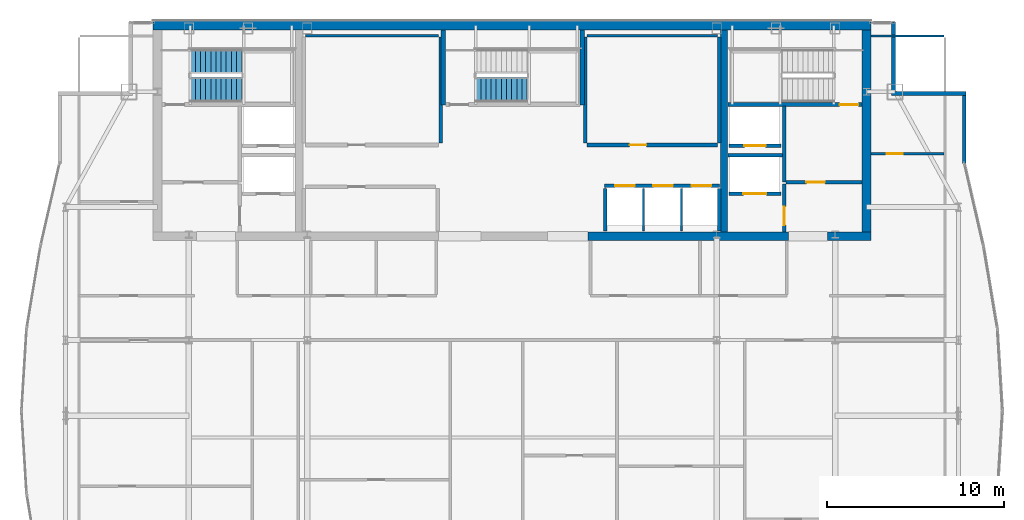
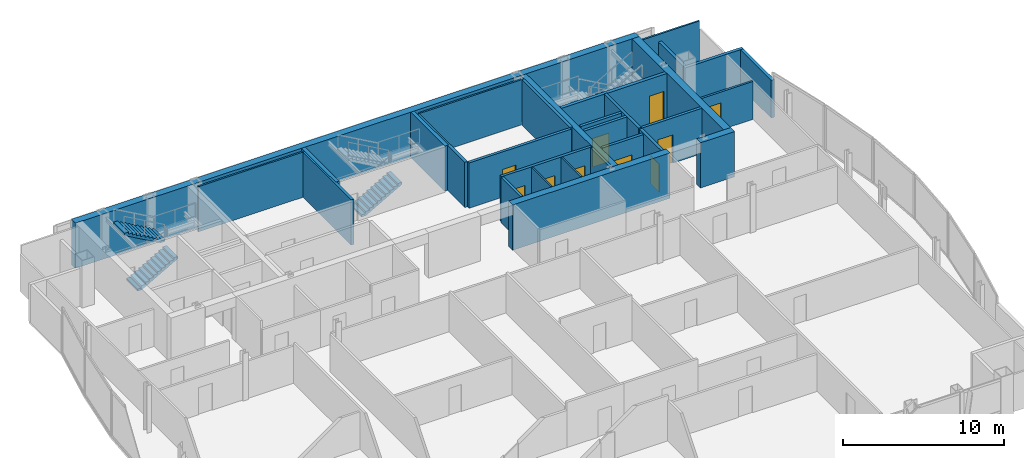
# One storey, part 26 of 29: 30 walls, 10 doors, 3 stair flights, 10 openings, 2 elements without a shape of their own.
"""IFC4 building model written with IfcOpenShell, lengths in metres."""

from ifc_helpers import new_model, si_unit, direction, frame, frame_2d, origin, place, context, subcontext, project, spatial, polyline, rectangle, outline, extrude, material, layer, layer_set, type_object, element, fill, aggregate, save


model = new_model("IFC4")

# Units and contexts
model_context = context("Model", 3, precision=1e-05, world=origin(), true_north=direction((0.0, 1.0)))
body_context = subcontext(model_context, "Body", "Model", "MODEL_VIEW")
ifc_project = project(units=[si_unit("LENGTHUNIT", "METRE"), si_unit("AREAUNIT", "SQUARE_METRE"), si_unit("VOLUMEUNIT", "CUBIC_METRE"), si_unit("PLANEANGLEUNIT", "RADIAN"), si_unit("MASSUNIT", "GRAM", prefix="KILO")], contexts=[model_context])

# Site, building, storey
site_placement = place(None, origin())
site = spatial("IfcSite", under=ifc_project, at=site_placement, CompositionType="ELEMENT")
building_placement = place(site_placement, origin())
building = spatial("IfcBuilding", under=site, at=building_placement, Name="Khoronbel Lancet Exchange", CompositionType="ELEMENT")
storey_placement = place(building_placement, frame((0.0, 0.0, 321.800048828125)))
storey = spatial("IfcBuildingStorey", under=building, at=storey_placement, Name="L83", CompositionType="ELEMENT", Elevation=321.800048828125)

# Walls
ifc_material_1 = material(Name="Concrete C60/75", Category="concrete")
ifc_layer_1 = layer(ifc_material_1, 0.5, Name="Concrete C60/75")
ifc_layer_set_1 = layer_set([ifc_layer_1], Name="Concrete C60/75")
wall_type_1 = type_object("IfcWallType", Name="WL-CW4", PredefinedType="SHEAR", material=ifc_layer_set_1)
wall_1_placement = place(storey_placement, frame((16.199951171875, 53.449951171875, 0.0), z_axis=(0.0, 0.0, 1.0), x_axis=(1.0, 0.0, 0.0)))
element("IfcWall", 1, at=wall_1_placement, inside=storey, type_object=wall_type_1, Name="Level L83 rear core north shear wall", PredefinedType="SHEAR", context=body_context, shape_type="SweptSolid", body=[
    extrude(rectangle(XDim=40.5, YDim=0.5, at=frame_2d((20.25, 0.0))), origin(), (0.0, 0.0, 1.0), 3.43994140625),
])
wall_2_placement = place(storey_placement, frame((56.449951171875, 53.199951171875, 0.0), z_axis=(0.0, 0.0, 1.0), x_axis=(0.0, -1.0, 0.0)))
element("IfcWall", 2, at=wall_2_placement, inside=storey, type_object=wall_type_1, Name="Level L83 rear core east shear wall", PredefinedType="SHEAR", context=body_context, shape_type="SweptSolid", body=[
    extrude(rectangle(XDim=11.39990234375, YDim=0.5, at=frame_2d((5.699951171875, 0.0))), origin(), (0.0, 0.0, 1.0), 3.43994140625),
])
wall_3_placement = place(storey_placement, frame((52.050048828125, 41.550048828125, 0.0), z_axis=(0.0, 0.0, 1.0), x_axis=(-1.0, 0.0, 0.0)))
element("IfcWall", 3, at=wall_3_placement, inside=storey, type_object=wall_type_1, Name="Level L83 rear core south shear wall pier P4", PredefinedType="SHEAR", context=body_context, shape_type="SweptSolid", body=[
    extrude(rectangle(XDim=11.300048828125, YDim=0.5, at=frame_2d((5.64990234375, 0.0))), origin(), (0.0, 0.0, 1.0), 3.43994140625),
])
wall_4_placement = place(storey_placement, frame((56.699951171875, 41.550048828125, 0.0), z_axis=(0.0, 0.0, 1.0), x_axis=(-1.0, 0.0, 0.0)))
element("IfcWall", 4, at=wall_4_placement, inside=storey, type_object=wall_type_1, Name="Level L83 rear core south shear wall pier P5", PredefinedType="SHEAR", context=body_context, shape_type="SweptSolid", body=[
    extrude(rectangle(XDim=2.449951171875, YDim=0.5, at=frame_2d((1.22509765625, 0.0))), origin(), (0.0, 0.0, 1.0), 3.43994140625),
])
ifc_material_2 = material(Name="Precast concrete C40/50", Category="concrete")
ifc_layer_2 = layer(ifc_material_2, 0.25, Name="Precast concrete C40/50")
ifc_layer_set_2 = layer_set([ifc_layer_2], Name="Precast concrete C40/50")
wall_type_2 = type_object("IfcWallType", Name="WL-EXT250", PredefinedType="SOLIDWALL", material=ifc_layer_set_2)
wall_5_placement = place(storey_placement, frame((57.9599609375, 53.6298828125, 0.0), z_axis=(0.0, 0.0, 1.0), x_axis=(0.0, -1.0, 0.0)))
element("IfcWall", 5, at=wall_5_placement, inside=storey, type_object=wall_type_2, Name="Level L83 notched-corner limestone pier 14", PredefinedType="SOLIDWALL", context=body_context, shape_type="SweptSolid", body=[
    extrude(rectangle(XDim=3.909912109375, YDim=0.219970703125, at=frame_2d((1.955078125, 0.0))), origin(), (0.0, 0.0, 1.0), 2.8798828125),
])
wall_6_placement = place(storey_placement, frame((57.85009765625, 49.610107421875, 0.0), z_axis=(0.0, 0.0, 1.0), x_axis=(1.0, 0.0, 0.0)))
element("IfcWall", 6, at=wall_6_placement, inside=storey, type_object=wall_type_2, Name="Level L83 notched-corner limestone pier 15", PredefinedType="SOLIDWALL", context=body_context, shape_type="SweptSolid", body=[
    extrude(rectangle(XDim=4.219970703125, YDim=0.219970703125, at=frame_2d((2.10986328125, 0.0))), origin(), (0.0, 0.0, 1.0), 2.8798828125),
])
wall_7_placement = place(storey_placement, frame((61.9599609375, 49.5, 0.0), z_axis=(0.0, 0.0, 1.0), x_axis=(0.0, -1.0, 0.0)))
element("IfcWall", 7, at=wall_7_placement, inside=storey, type_object=wall_type_2, Name="Level L83 notched-corner limestone pier 16", PredefinedType="SOLIDWALL", context=body_context, shape_type="SweptSolid", body=[
    extrude(rectangle(XDim=3.830078125, YDim=0.219970703125, at=frame_2d((1.9150390625, 0.0))), origin(), (0.0, 0.0, 1.0), 2.8798828125),
])

# Wall, opening, door
ifc_material_3 = material(Name="Acoustic Metal-Stud & Mineral-Wool Gypsum Partition 120 mm", Category="gypsum")
ifc_layer_3 = layer(ifc_material_3, 0.1201171875, Name="Acoustic Metal-Stud & Mineral-Wool Gypsum Partition 120 mm")
ifc_layer_set_3 = layer_set([ifc_layer_3], Name="Acoustic Metal-Stud & Mineral-Wool Gypsum Partition 120 mm")
wall_type_3 = type_object("IfcWallType", Name="WL-PRT120", PredefinedType="PARTITIONING", material=ifc_layer_set_3)
wall_8_placement = place(storey_placement, frame((56.699951171875, 46.199951171875, 0.0), z_axis=(0.0, 0.0, 1.0), x_axis=(1.0, 0.0, 0.0)))
wall_8 = element("IfcWall", 8, at=wall_8_placement, inside=storey, type_object=wall_type_3, Name="Level L83 interior partition PW-NE-H", PredefinedType="PARTITIONING", context=body_context, shape_type="SweptSolid", body=[
    extrude(rectangle(XDim=4.10498046875, YDim=0.14990234375, at=frame_2d((2.052490234375, 0.0))), origin(), (0.0, 0.0, 1.0), 2.8798828125),
])
opening_1_placement = place(wall_8_placement, frame((0.89990234375, 0.0, 0.0)))
opening_1 = element("IfcOpeningElement", 9, at=opening_1_placement, cuts=wall_8, Name="Opening D5", PredefinedType="OPENING", context=body_context, shape_type="SweptSolid", body=[
    extrude(rectangle(XDim=0.89990234375, YDim=2.050048828125, at=frame_2d((0.449951171875, 1.02490234375))), frame((0.0, 0.0849609375, 0.0), z_axis=(0.0, -1.0, 0.0), x_axis=(1.0, 0.0, 0.0)), (0.0, 0.0, 1.0), 0.169921875),
])
ifc_material_4 = material(Name="Acoustic Timber Pantry & Support Door", Category="wood")
door_type_1 = type_object("IfcDoorType", Name="DR-D5", OperationType="NOTDEFINED", PredefinedType="DOOR", material=ifc_material_4)
door_1_placement = place(opening_1_placement, origin())
door_1 = element("IfcDoor", 10, at=door_1_placement, inside=storey, type_object=door_type_1, Name="NE north room door L83-1", OperationType="SINGLE_SWING_RIGHT", OverallHeight=2.050048828125, OverallWidth=0.89990234375, PredefinedType="DOOR", context=body_context, shape_type="SweptSolid", body=[
    extrude(rectangle(XDim=0.89990234375, YDim=2.050048828125, at=frame_2d((0.449951171875, 1.02490234375))), frame((0.0, 0.02490234375, 0.0), z_axis=(0.0, -1.0, 0.0), x_axis=(1.0, 0.0, 0.0)), (0.0, 0.0, 1.0), 0.050048828125),
])
fill(opening_1, door_1)

# Walls
wall_9_placement = place(storey_placement, frame((56.699951171875, 52.840087890625, 0.0), z_axis=(0.0, 0.0, 1.0), x_axis=(1.0, 0.0, 0.0)))
element("IfcWall", 11, at=wall_9_placement, inside=storey, type_object=wall_type_3, Name="Level L83 interior partition PW-LIN-NE", PredefinedType="PARTITIONING", context=body_context, shape_type="SweptSolid", body=[
    extrude(rectangle(XDim=4.10498046875, YDim=0.1201171875, at=frame_2d((2.052490234375, 0.0))), origin(), (0.0, 0.0, 1.0), 3.43994140625),
])
ifc_material_5 = material(Name="Fire-Rated Metal-Stud & Mineral-Wool Gypsum Partition 120 mm", Category="gypsum")
ifc_layer_4 = layer(ifc_material_5, 0.1201171875, Name="Fire-Rated Metal-Stud & Mineral-Wool Gypsum Partition 120 mm")
ifc_layer_set_4 = layer_set([ifc_layer_4], Name="Fire-Rated Metal-Stud & Mineral-Wool Gypsum Partition 120 mm")
wall_type_4 = type_object("IfcWallType", Name="WL-PRT120F", PredefinedType="PARTITIONING", material=ifc_layer_set_4)
wall_10_placement = place(storey_placement, frame((24.804931640625, 52.860107421875, 0.0), z_axis=(0.0, 0.0, 1.0), x_axis=(1.0, 0.0, 0.0)))
element("IfcWall", 12, at=wall_10_placement, inside=storey, type_object=wall_type_4, Name="Level L83 interior partition CW-PL-RN", PredefinedType="PARTITIONING", context=body_context, shape_type="SweptSolid", body=[
    extrude(rectangle(XDim=7.510009765625, YDim=0.1201171875, at=frame_2d((3.7548828125, 0.0))), origin(), (0.0, 0.0, 1.0), 3.43994140625),
])
wall_11_placement = place(storey_placement, frame((40.68505859375, 52.860107421875, 0.0), z_axis=(0.0, 0.0, 1.0), x_axis=(1.0, 0.0, 0.0)))
element("IfcWall", 13, at=wall_11_placement, inside=storey, type_object=wall_type_4, Name="Level L83 interior partition CW-PH-RN", PredefinedType="PARTITIONING", context=body_context, shape_type="SweptSolid", body=[
    extrude(rectangle(XDim=7.349853515625, YDim=0.1201171875, at=frame_2d((3.6748046875, 0.0))), origin(), (0.0, 0.0, 1.0), 3.43994140625),
])
for number, where, z_axis, x_axis, name in (
    (14, (43.860107421875, 41.85009765625, 0.0), (0.0, 0.0, 1.0), (0.0, 1.0, 0.0), "Level L83 interior partition CW-PX-D1"),
    (15, (46.0, 41.85009765625, 0.0), (0.0, 0.0, 1.0), (0.0, 1.0, 0.0), "Level L83 interior partition CW-PX-D2"),
):
    element("IfcWall", number, at=place(storey_placement, frame(where, z_axis=z_axis, x_axis=x_axis)), inside=storey, type_object=wall_type_4, Name=name, PredefinedType="PARTITIONING", context=body_context, shape_type="SweptSolid", body=[
        extrude(rectangle(XDim=2.39990234375, YDim=0.1201171875, at=frame_2d((1.199951171875, 0.0))), origin(), (0.0, 0.0, 1.0), 3.43994140625),
    ])

# Wall, openings, doors
ifc_material_6 = material(Name="Autoclaved Aerated Concrete Blockwork 200 mm", Category="masonry")
ifc_layer_5 = layer(ifc_material_6, 0.199951171875, Name="Autoclaved Aerated Concrete Blockwork 200 mm")
ifc_layer_set_5 = layer_set([ifc_layer_5], Name="Autoclaved Aerated Concrete Blockwork 200 mm")
wall_type_5 = type_object("IfcWallType", Name="WL-PRT200", PredefinedType="PARTITIONING", material=ifc_layer_set_5)
wall_12_placement = place(storey_placement, frame((41.679931640625, 44.39990234375, 0.0), z_axis=(0.0, 0.0, 1.0), x_axis=(1.0, 0.0, 0.0)))
wall_12 = element("IfcWall", 16, at=wall_12_placement, inside=storey, type_object=wall_type_5, Name="Level L83 elevator hoistway landing front wall PXE", PredefinedType="PARTITIONING", context=body_context, shape_type="SweptSolid", body=[
    extrude(rectangle(XDim=6.47998046875, YDim=0.199951171875, at=frame_2d((3.239990234375, 0.0))), origin(), (0.0, 0.0, 1.0), 3.43994140625),
])
opening_2_placement = place(wall_12_placement, frame((0.580078125, 0.0, 0.0)))
opening_2 = element("IfcOpeningElement", 17, at=opening_2_placement, cuts=wall_12, Name="Opening LD-PX1", PredefinedType="OPENING", context=body_context, shape_type="SweptSolid", body=[
    extrude(rectangle(XDim=1.10009765625, YDim=2.179931640625, at=frame_2d((0.550048828125, 1.08984375))), frame((0.0, 0.10986328125, 0.0), z_axis=(0.0, -1.0, 0.0), x_axis=(1.0, 0.0, 0.0)), (0.0, 0.0, 1.0), 0.219970703125),
])
opening_3_placement = place(wall_12_placement, frame((2.739990234375, 0.0, 0.0)))
opening_3 = element("IfcOpeningElement", 18, at=opening_3_placement, cuts=wall_12, Name="Opening LD-PX2", PredefinedType="OPENING", context=body_context, shape_type="SweptSolid", body=[
    extrude(rectangle(XDim=1.10009765625, YDim=2.179931640625, at=frame_2d((0.550048828125, 1.08984375))), frame((0.0, 0.10986328125, 0.0), z_axis=(0.0, -1.0, 0.0), x_axis=(1.0, 0.0, 0.0)), (0.0, 0.0, 1.0), 0.219970703125),
])
opening_4_placement = place(wall_12_placement, frame((4.89990234375, 0.0, 0.0)))
opening_4 = element("IfcOpeningElement", 19, at=opening_4_placement, cuts=wall_12, Name="Opening LD-PX3", PredefinedType="OPENING", context=body_context, shape_type="SweptSolid", body=[
    extrude(rectangle(XDim=1.10009765625, YDim=2.179931640625, at=frame_2d((0.550048828125, 1.08984375))), frame((0.0, 0.10986328125, 0.0), z_axis=(0.0, -1.0, 0.0), x_axis=(1.0, 0.0, 0.0)), (0.0, 0.0, 1.0), 0.219970703125),
])
ifc_material_7 = material(Name="Brushed Bronze Bi-Parting Elevator Landing Door", Category="steel")
door_type_2 = type_object("IfcDoorType", Name="DR-LD-PAX", OperationType="NOTDEFINED", PredefinedType="DOOR", material=ifc_material_7)
door_2_placement = place(opening_2_placement, origin())
door_2 = element("IfcDoor", 20, at=door_2_placement, inside=storey, type_object=door_type_2, Name="Elevator landing sliding door LD-PX1 L83", OperationType="SLIDING_TO_LEFT", OverallHeight=2.179931640625, OverallWidth=1.10009765625, PredefinedType="DOOR", context=body_context, shape_type="SweptSolid", body=[
    extrude(rectangle(XDim=1.10009765625, YDim=2.179931640625, at=frame_2d((0.550048828125, 1.08984375))), frame((0.0, 0.02490234375, 0.0), z_axis=(0.0, -1.0, 0.0), x_axis=(1.0, 0.0, 0.0)), (0.0, 0.0, 1.0), 0.050048828125),
])
fill(opening_2, door_2)
door_3_placement = place(opening_3_placement, origin())
door_3 = element("IfcDoor", 21, at=door_3_placement, inside=storey, type_object=door_type_2, Name="Elevator landing sliding door LD-PX2 L83", OperationType="SLIDING_TO_LEFT", OverallHeight=2.179931640625, OverallWidth=1.10009765625, PredefinedType="DOOR", context=body_context, shape_type="SweptSolid", body=[
    extrude(rectangle(XDim=1.10009765625, YDim=2.179931640625, at=frame_2d((0.550048828125, 1.08984375))), frame((0.0, 0.02490234375, 0.0), z_axis=(0.0, -1.0, 0.0), x_axis=(1.0, 0.0, 0.0)), (0.0, 0.0, 1.0), 0.050048828125),
])
fill(opening_3, door_3)
door_4_placement = place(opening_4_placement, origin())
door_4 = element("IfcDoor", 22, at=door_4_placement, inside=storey, type_object=door_type_2, Name="Elevator landing sliding door LD-PX3 L83", OperationType="SLIDING_TO_LEFT", OverallHeight=2.179931640625, OverallWidth=1.10009765625, PredefinedType="DOOR", context=body_context, shape_type="SweptSolid", body=[
    extrude(rectangle(XDim=1.10009765625, YDim=2.179931640625, at=frame_2d((0.550048828125, 1.08984375))), frame((0.0, 0.02490234375, 0.0), z_axis=(0.0, -1.0, 0.0), x_axis=(1.0, 0.0, 0.0)), (0.0, 0.0, 1.0), 0.050048828125),
])
fill(opening_4, door_4)

# Wall, opening, door
wall_13_placement = place(storey_placement, frame((51.610107421875, 43.949951171875, 0.0), z_axis=(0.0, 0.0, 1.0), x_axis=(-1.0, 0.0, 0.0)))
wall_13 = element("IfcWall", 23, at=wall_13_placement, inside=storey, type_object=wall_type_5, Name="Level L83 elevator hoistway landing front wall SVLE", PredefinedType="PARTITIONING", context=body_context, shape_type="SweptSolid", body=[
    extrude(rectangle(XDim=2.920166015625, YDim=0.199951171875, at=frame_2d((1.4599609375, 0.0))), origin(), (0.0, 0.0, 1.0), 3.43994140625),
])
opening_5_placement = place(wall_13_placement, frame((0.81005859375, 0.0, 0.0)))
opening_5 = element("IfcOpeningElement", 24, at=opening_5_placement, cuts=wall_13, Name="Opening LD-SVL2", PredefinedType="OPENING", context=body_context, shape_type="SweptSolid", body=[
    extrude(rectangle(XDim=1.300048828125, YDim=2.179931640625, at=frame_2d((0.64990234375, 1.08984375))), frame((0.0, 0.10986328125, 0.0), z_axis=(0.0, -1.0, 0.0), x_axis=(1.0, 0.0, 0.0)), (0.0, 0.0, 1.0), 0.219970703125),
])
ifc_material_8 = material(Name="Heavy-Duty Bi-Parting Goods Lift Landing Door", Category="steel")
door_type_3 = type_object("IfcDoorType", Name="DR-LD-SVL", OperationType="NOTDEFINED", PredefinedType="DOOR", material=ifc_material_8)
door_5_placement = place(opening_5_placement, origin())
door_5 = element("IfcDoor", 25, at=door_5_placement, inside=storey, type_object=door_type_3, Name="Elevator landing sliding door LD-SVL2 L83", OperationType="SLIDING_TO_LEFT", OverallHeight=2.179931640625, OverallWidth=1.300048828125, PredefinedType="DOOR", context=body_context, shape_type="SweptSolid", body=[
    extrude(rectangle(XDim=1.300048828125, YDim=2.179931640625, at=frame_2d((0.64990234375, 1.08984375))), frame((0.0, 0.02490234375, 0.0), z_axis=(0.0, -1.0, 0.0), x_axis=(1.0, 0.0, 0.0)), (0.0, 0.0, 1.0), 0.050048828125),
])
fill(opening_5, door_5)

wall_14_placement = place(storey_placement, frame((51.610107421875, 46.64990234375, 0.0), z_axis=(0.0, 0.0, 1.0), x_axis=(-1.0, 0.0, 0.0)))
wall_14 = element("IfcWall", 26, at=wall_14_placement, inside=storey, type_object=wall_type_5, Name="Level L83 elevator hoistway landing front wall FFLE", PredefinedType="PARTITIONING", context=body_context, shape_type="SweptSolid", body=[
    extrude(rectangle(XDim=2.920166015625, YDim=0.199951171875, at=frame_2d((1.4599609375, 0.0))), origin(), (0.0, 0.0, 1.0), 3.43994140625),
])
opening_6_placement = place(wall_14_placement, frame((0.860107421875, 0.0, 0.0)))
opening_6 = element("IfcOpeningElement", 27, at=opening_6_placement, cuts=wall_14, Name="Opening LD-FFL2", PredefinedType="OPENING", context=body_context, shape_type="SweptSolid", body=[
    extrude(rectangle(XDim=1.199951171875, YDim=2.179931640625, at=frame_2d((0.60009765625, 1.08984375))), frame((0.0, 0.10986328125, 0.0), z_axis=(0.0, -1.0, 0.0), x_axis=(1.0, 0.0, 0.0)), (0.0, 0.0, 1.0), 0.219970703125),
])
ifc_material_9 = material(Name="Fire-Rated Stainless Bi-Parting Firefighting Lift Door", Category="steel")
door_type_4 = type_object("IfcDoorType", Name="DR-LD-FFL", OperationType="NOTDEFINED", PredefinedType="DOOR", material=ifc_material_9)
door_6_placement = place(opening_6_placement, origin())
door_6 = element("IfcDoor", 28, at=door_6_placement, inside=storey, type_object=door_type_4, Name="Elevator landing sliding door LD-FFL2 L83", OperationType="SLIDING_TO_LEFT", OverallHeight=2.179931640625, OverallWidth=1.199951171875, PredefinedType="DOOR", context=body_context, shape_type="SweptSolid", body=[
    extrude(rectangle(XDim=1.199951171875, YDim=2.179931640625, at=frame_2d((0.60009765625, 1.08984375))), frame((0.0, 0.02490234375, 0.0), z_axis=(0.0, -1.0, 0.0), x_axis=(1.0, 0.0, 0.0)), (0.0, 0.0, 1.0), 0.050048828125),
])
fill(opening_6, door_6)

# Wall
wall_15_placement = place(storey_placement, frame((51.800048828125, 44.60009765625, 0.0), z_axis=(0.0, 0.0, 1.0), x_axis=(0.0, 1.0, 0.0)))
element("IfcWall", 29, at=wall_15_placement, inside=storey, type_object=wall_type_5, Name="Level L83 interior partition CW-FFLE-W", PredefinedType="PARTITIONING", context=body_context, shape_type="SweptSolid", body=[
    extrude(rectangle(XDim=4.2998046875, YDim=0.199951171875, at=frame_2d((2.14990234375, 0.0))), origin(), (0.0, 0.0, 1.0), 3.43994140625),
])

# Wall, opening, door
wall_16_placement = place(storey_placement, frame((51.89990234375, 44.60009765625, 0.0), z_axis=(0.0, 0.0, 1.0), x_axis=(1.0, 0.0, 0.0)))
wall_16 = element("IfcWall", 30, at=wall_16_placement, inside=storey, type_object=wall_type_5, Name="Level L83 interior partition CW-FFLE-S", PredefinedType="PARTITIONING", context=body_context, shape_type="SweptSolid", body=[
    extrude(rectangle(XDim=4.300048828125, YDim=0.199951171875, at=frame_2d((2.14990234375, 0.0))), origin(), (0.0, 0.0, 1.0), 3.43994140625),
])
opening_7_placement = place(wall_16_placement, frame((1.14990234375, 0.0, 0.0)))
opening_7 = element("IfcOpeningElement", 31, at=opening_7_placement, cuts=wall_16, Name="Opening FD1", PredefinedType="OPENING", context=body_context, shape_type="SweptSolid", body=[
    extrude(rectangle(XDim=1.050048828125, YDim=2.14990234375, at=frame_2d((0.52490234375, 1.074951171875))), frame((0.0, 0.10986328125, 0.0), z_axis=(0.0, -1.0, 0.0), x_axis=(1.0, 0.0, 0.0)), (0.0, 0.0, 1.0), 0.219970703125),
])
ifc_material_10 = material(Name="Fire-Rated Painted Steel Door Assembly", Category="steel")
door_type_5 = type_object("IfcDoorType", Name="DR-FD1", OperationType="NOTDEFINED", PredefinedType="DOOR", material=ifc_material_10)
door_7_placement = place(opening_7_placement, origin())
door_7 = element("IfcDoor", 32, at=door_7_placement, inside=storey, type_object=door_type_5, Name="East firefighting lobby FD90S door L83-1", OperationType="SINGLE_SWING_LEFT", OverallHeight=2.14990234375, OverallWidth=1.050048828125, PredefinedType="DOOR", context=body_context, shape_type="SweptSolid", body=[
    extrude(rectangle(XDim=1.050048828125, YDim=2.14990234375, at=frame_2d((0.52490234375, 1.074951171875))), frame((0.0, 0.02490234375, 0.0), z_axis=(0.0, -1.0, 0.0), x_axis=(1.0, 0.0, 0.0)), (0.0, 0.0, 1.0), 0.050048828125),
])
fill(opening_7, door_7)

# Wall
wall_17_placement = place(storey_placement, frame((48.6298828125, 46.1201171875, 0.0), z_axis=(0.0, 0.0, 1.0), x_axis=(1.0, 0.0, 0.0)))
element("IfcWall", 33, at=wall_17_placement, inside=storey, type_object=wall_type_5, Name="Level L83 interior partition CW-FFL2-S", PredefinedType="PARTITIONING", context=body_context, shape_type="SweptSolid", body=[
    extrude(rectangle(XDim=3.070068359375, YDim=0.199951171875, at=frame_2d((1.53515625, 0.0))), origin(), (0.0, 0.0, 1.0), 3.43994140625),
])

# Wall, opening, door
wall_18_placement = place(storey_placement, frame((51.800048828125, 41.800048828125, 0.0), z_axis=(0.0, 0.0, 1.0), x_axis=(0.0, 1.0, 0.0)))
wall_18 = element("IfcWall", 34, at=wall_18_placement, inside=storey, type_object=wall_type_5, Name="Level L83 interior partition CW-SVLE-E", PredefinedType="PARTITIONING", context=body_context, shape_type="SweptSolid", body=[
    extrude(rectangle(XDim=2.695068359375, YDim=0.199951171875, at=frame_2d((1.34765625, 0.0))), origin(), (0.0, 0.0, 1.0), 3.43994140625),
])
opening_8_placement = place(wall_18_placement, frame((0.3798828125, 0.0, 0.0)))
opening_8 = element("IfcOpeningElement", 35, at=opening_8_placement, cuts=wall_18, Name="Opening FD1", PredefinedType="OPENING", context=body_context, shape_type="SweptSolid", body=[
    extrude(rectangle(XDim=1.050048828125, YDim=2.14990234375, at=frame_2d((0.52490234375, 1.074951171875))), frame((0.0, 0.10986328125, 0.0), z_axis=(0.0, -1.0, 0.0), x_axis=(1.0, 0.0, 0.0)), (0.0, 0.0, 1.0), 0.219970703125),
])
door_8_placement = place(opening_8_placement, origin())
door_8 = element("IfcDoor", 36, at=door_8_placement, inside=storey, type_object=door_type_5, Name="East service lift lobby door L83-1", OperationType="SINGLE_SWING_RIGHT", OverallHeight=2.14990234375, OverallWidth=1.050048828125, PredefinedType="DOOR", context=body_context, shape_type="SweptSolid", body=[
    extrude(rectangle(XDim=1.050048828125, YDim=2.14990234375, at=frame_2d((0.52490234375, 1.074951171875))), frame((0.0, 0.02490234375, 0.0), z_axis=(0.0, -1.0, 0.0), x_axis=(1.0, 0.0, 0.0)), (0.0, 0.0, 1.0), 0.050048828125),
])
fill(opening_8, door_8)

# Walls
for number, where, z_axis, x_axis, name in (
    (37, (32.419921875, 46.804931640625, 0.0), (0.0, 0.0, 1.0), (0.0, 1.0, 0.0), "Level L83 interior partition CW-PL-RE"),
    (38, (40.580078125, 46.804931640625, 0.0), (0.0, 0.0, 1.0), (0.0, 1.0, 0.0), "Level L83 interior partition CW-PH-RW"),
    (39, (48.139892578125, 46.804931640625, 0.0), (0.0, 0.0, 1.0), (0.0, 1.0, 0.0), "Level L83 interior partition CW-PH-RE"),
):
    element("IfcWall", number, at=place(storey_placement, frame(where, z_axis=z_axis, x_axis=x_axis)), inside=storey, type_object=wall_type_5, Name=name, PredefinedType="PARTITIONING", context=body_context, shape_type="SweptSolid", body=[
        extrude(rectangle(XDim=5.989990234375, YDim=0.199951171875, at=frame_2d((2.9951171875, 0.0))), origin(), (0.0, 0.0, 1.0), 3.43994140625),
    ])

# Wall, opening, door
wall_19_placement = place(storey_placement, frame((40.68505859375, 46.699951171875, 0.0), z_axis=(0.0, 0.0, 1.0), x_axis=(1.0, 0.0, 0.0)))
wall_19 = element("IfcWall", 40, at=wall_19_placement, inside=storey, type_object=wall_type_5, Name="Level L83 interior partition CW-PH-RF", PredefinedType="PARTITIONING", context=body_context, shape_type="SweptSolid", body=[
    extrude(rectangle(XDim=7.349853515625, YDim=0.199951171875, at=frame_2d((3.6748046875, 0.0))), origin(), (0.0, 0.0, 1.0), 3.43994140625),
])
opening_9_placement = place(wall_19_placement, frame((2.39990234375, 0.0, 0.0)))
opening_9 = element("IfcOpeningElement", 41, at=opening_9_placement, cuts=wall_19, Name="Opening FD3", PredefinedType="OPENING", context=body_context, shape_type="SweptSolid", body=[
    extrude(rectangle(XDim=0.949951171875, YDim=2.10009765625, at=frame_2d((0.47509765625, 1.050048828125))), frame((0.0, 0.10986328125, 0.0), z_axis=(0.0, -1.0, 0.0), x_axis=(1.0, 0.0, 0.0)), (0.0, 0.0, 1.0), 0.219970703125),
])
ifc_material_11 = material(Name="Fire-Rated Steel Plant & Riser Door Assembly", Category="steel")
door_type_6 = type_object("IfcDoorType", Name="DR-FD3", OperationType="NOTDEFINED", PredefinedType="DOOR", material=ifc_material_11)
door_9_placement = place(opening_9_placement, origin())
door_9 = element("IfcDoor", 42, at=door_9_placement, inside=storey, type_object=door_type_6, Name="Reclaimed PH room door L83-1", OperationType="SINGLE_SWING_LEFT", OverallHeight=2.10009765625, OverallWidth=0.949951171875, PredefinedType="DOOR", context=body_context, shape_type="SweptSolid", body=[
    extrude(rectangle(XDim=0.949951171875, YDim=2.10009765625, at=frame_2d((0.47509765625, 1.050048828125))), frame((0.0, 0.02490234375, 0.0), z_axis=(0.0, -1.0, 0.0), x_axis=(1.0, 0.0, 0.0)), (0.0, 0.0, 1.0), 0.050048828125),
])
fill(opening_9, door_9)

# Walls
for number, where, z_axis, x_axis, name in (
    (43, (41.719970703125, 41.85009765625, 0.0), (0.0, 0.0, 1.0), (0.0, 1.0, 0.0), "Level L83 interior partition CW-PX-W"),
    (44, (48.139892578125, 41.85009765625, 0.0), (0.0, 0.0, 1.0), (0.0, 1.0, 0.0), "Level L83 interior partition CW-PX-E"),
):
    element("IfcWall", number, at=place(storey_placement, frame(where, z_axis=z_axis, x_axis=x_axis)), inside=storey, type_object=wall_type_5, Name=name, PredefinedType="PARTITIONING", context=body_context, shape_type="SweptSolid", body=[
        extrude(rectangle(XDim=2.39990234375, YDim=0.199951171875, at=frame_2d((1.199951171875, 0.0))), origin(), (0.0, 0.0, 1.0), 3.43994140625),
    ])
ifc_layer_6 = layer(ifc_material_1, 0.39990234375, Name="Concrete C60/75")
ifc_layer_set_6 = layer_set([ifc_layer_6], Name="Concrete C60/75")
wall_type_6 = type_object("IfcWallType", Name="WL-SW2", PredefinedType="SHEAR", material=ifc_layer_set_6)
wall_20_placement = place(storey_placement, frame((48.39990234375, 41.800048828125, 0.0), z_axis=(0.0, 0.0, 1.0), x_axis=(0.0, 1.0, 0.0)))
element("IfcWall", 45, at=wall_20_placement, inside=storey, type_object=wall_type_6, Name="Level L83 rear core internal spine shear wall IE", PredefinedType="SHEAR", context=body_context, shape_type="SweptSolid", body=[
    extrude(rectangle(XDim=11.39990234375, YDim=0.39990234375, at=frame_2d((5.699951171875, 0.0))), origin(), (0.0, 0.0, 1.0), 3.43994140625),
])
ifc_layer_7 = layer(ifc_material_1, 0.260009765625, Name="Concrete C60/75")
ifc_layer_set_7 = layer_set([ifc_layer_7], Name="Concrete C60/75")
wall_type_7 = type_object("IfcWallType", Name="WL-SW3", PredefinedType="SHEAR", material=ifc_layer_set_7)
for number, where, z_axis, x_axis, name in (
    (46, (32.580078125, 48.949951171875, 0.0), (0.0, 0.0, 1.0), (0.0, 1.0, 0.0), "Level L83 central stairwell structural shear wall ST3W"),
    (47, (40.419921875, 48.949951171875, 0.0), (0.0, 0.0, 1.0), (0.0, 1.0, 0.0), "Level L83 central stairwell structural shear wall ST3E"),
):
    element("IfcWall", number, at=place(storey_placement, frame(where, z_axis=z_axis, x_axis=x_axis)), inside=storey, type_object=wall_type_7, Name=name, PredefinedType="SHEAR", context=body_context, shape_type="SweptSolid", body=[
        extrude(rectangle(XDim=4.25, YDim=0.260009765625, at=frame_2d((2.125, 0.0))), origin(), (0.0, 0.0, 1.0), 3.43994140625),
    ])

# Wall, opening, door
wall_21_placement = place(storey_placement, frame((48.6298828125, 48.97998046875, 0.0), z_axis=(0.0, 0.0, 1.0), x_axis=(1.0, 0.0, 0.0)))
wall_21 = element("IfcWall", 48, at=wall_21_placement, inside=storey, type_object=wall_type_7, Name="Level L83 east stairwell structural south wall", PredefinedType="SHEAR", context=body_context, shape_type="SweptSolid", body=[
    extrude(rectangle(XDim=7.570068359375, YDim=0.239990234375, at=frame_2d((3.78515625, 0.0))), origin(), (0.0, 0.0, 1.0), 3.43994140625),
])
opening_10_placement = place(wall_21_placement, frame((6.300048828125, 0.0, 0.0)))
opening_10 = element("IfcOpeningElement", 49, at=opening_10_placement, cuts=wall_21, Name="Opening SD1", PredefinedType="OPENING", context=body_context, shape_type="SweptSolid", body=[
    extrude(rectangle(XDim=1.050048828125, YDim=2.14990234375, at=frame_2d((0.52490234375, 1.074951171875))), frame((0.0, 0.1298828125, 0.0), z_axis=(0.0, -1.0, 0.0), x_axis=(1.0, 0.0, 0.0)), (0.0, 0.0, 1.0), 0.260009765625),
])
ifc_material_12 = material(Name="Fire-Rated Steel Stairwell Door Assembly", Category="steel")
door_type_7 = type_object("IfcDoorType", Name="DR-SD1", OperationType="NOTDEFINED", PredefinedType="DOOR", material=ifc_material_12)
door_10_placement = place(opening_10_placement, origin())
door_10 = element("IfcDoor", 50, at=door_10_placement, inside=storey, type_object=door_type_7, Name="Protected exit stair ST2 door L83", OperationType="SINGLE_SWING_RIGHT", OverallHeight=2.14990234375, OverallWidth=1.050048828125, PredefinedType="DOOR", context=body_context, shape_type="SweptSolid", body=[
    extrude(rectangle(XDim=1.050048828125, YDim=2.14990234375, at=frame_2d((0.52490234375, 1.074951171875))), frame((0.0, 0.02490234375, 0.0), z_axis=(0.0, -1.0, 0.0), x_axis=(1.0, 0.0, 0.0)), (0.0, 0.0, 1.0), 0.050048828125),
])
fill(opening_10, door_10)

# Stair, stair flights
ifc_material_13 = material(Name="Concrete C40/50", Category="concrete")
stair_type = type_object("IfcStairType", Name="STR-CORE150", PredefinedType="HALF_TURN_STAIR", material=ifc_material_13)
stair_1_placement = place(storey_placement, origin())
stair_1 = element("IfcStair", 51, at=stair_1_placement, inside=storey, type_object=stair_type, Name="L83 Protected Exit Stair ST1", PredefinedType="HALF_TURN_STAIR")
stair_flight_type = type_object("IfcStairFlightType", Name="STF-150", PredefinedType="STRAIGHT", material=ifc_material_13)
stair_flight_1_placement = place(storey_placement, frame((18.300048828125, 49.81005859375, 0.0), z_axis=(0.0, 0.0, 1.0), x_axis=(1.0, 0.0, 0.0)))
stair_flight_1 = element("IfcStairFlight", 52, at=stair_flight_1_placement, type_object=stair_flight_type, Name="ST1 flight 1", NumberOfRisers=11, NumberOfTreads=10, PredefinedType="STRAIGHT", RiserHeight=0.163636364, TreadLength=0.29, context=body_context, shape_type="SweptSolid", body=[
    extrude(outline(polyline([(0.0, 0.0), (0.0, 0.16357421875), (0.2900390625, 0.16357421875), (0.2900390625, 0.327392578125), (0.580078125, 0.327392578125), (0.580078125, 0.490966796875), (0.8701171875, 0.490966796875), (0.8701171875, 0.654541015625), (1.159912109375, 0.654541015625), (1.159912109375, 0.818115234375), (1.449951171875, 0.818115234375), (1.449951171875, 0.98193359375), (1.739990234375, 0.98193359375), (1.739990234375, 1.1455078125), (2.030029296875, 1.1455078125), (2.030029296875, 1.30908203125), (2.320068359375, 1.30908203125), (2.320068359375, 1.47265625), (2.610107421875, 1.47265625), (2.610107421875, 1.636474609375), (2.89990234375, 1.636474609375), (2.89990234375, 1.800048828125), (2.89990234375, 1.46435546875), (0.304931640625, 0.0), (0.0, 0.0)])), frame((0.0, 0.68994140625, 0.0), z_axis=(0.0, -1.0, 0.0), x_axis=(1.0, 0.0, 0.0)), (0.0, 0.0, 1.0), 1.3798828125),
])
stair_flight_2_placement = place(storey_placement, frame((21.199951171875, 51.409912109375, 1.800048828125), z_axis=(0.0, 0.0, 1.0), x_axis=(-1.0, 0.0, 0.0)))
stair_flight_2 = element("IfcStairFlight", 53, at=stair_flight_2_placement, type_object=stair_flight_type, Name="ST1 flight 2", NumberOfRisers=11, NumberOfTreads=10, PredefinedType="STRAIGHT", RiserHeight=0.163636364, TreadLength=0.29, context=body_context, shape_type="SweptSolid", body=[
    extrude(outline(polyline([(0.0, 0.0), (0.0, 0.16357421875), (0.2900390625, 0.16357421875), (0.2900390625, 0.327392578125), (0.580078125, 0.327392578125), (0.580078125, 0.490966796875), (0.8701171875, 0.490966796875), (0.8701171875, 0.654541015625), (1.159912109375, 0.654541015625), (1.159912109375, 0.818115234375), (1.449951171875, 0.818115234375), (1.449951171875, 0.98193359375), (1.739990234375, 0.98193359375), (1.739990234375, 1.1455078125), (2.030029296875, 1.1455078125), (2.030029296875, 1.30908203125), (2.320068359375, 1.30908203125), (2.320068359375, 1.47265625), (2.610107421875, 1.47265625), (2.610107421875, 1.636474609375), (2.89990234375, 1.636474609375), (2.89990234375, 1.800048828125), (2.89990234375, 1.46435546875), (0.304931640625, 0.0), (0.0, 0.0)])), frame((0.0, 0.68994140625, 0.0), z_axis=(0.0, -1.0, 0.0), x_axis=(1.0, 0.0, 0.0)), (0.0, 0.0, 1.0), 1.3798828125),
])
aggregate(stair_1, [stair_flight_1, stair_flight_2])

# Stair, stair flight
stair_2_placement = place(storey_placement, origin())
stair_2 = element("IfcStair", 54, at=stair_2_placement, inside=storey, type_object=stair_type, Name="L83 Protected Exit Stair ST3", PredefinedType="HALF_TURN_STAIR")
stair_flight_3_placement = place(storey_placement, frame((34.39990234375, 49.81005859375, 0.0), z_axis=(0.0, 0.0, 1.0), x_axis=(1.0, 0.0, 0.0)))
stair_flight_3 = element("IfcStairFlight", 55, at=stair_flight_3_placement, type_object=stair_flight_type, Name="ST3 flight 1", NumberOfRisers=11, NumberOfTreads=10, PredefinedType="STRAIGHT", RiserHeight=0.163636364, TreadLength=0.29, context=body_context, shape_type="SweptSolid", body=[
    extrude(outline(polyline([(0.0, 0.0), (0.0, 0.16357421875), (0.2900390625, 0.16357421875), (0.2900390625, 0.327392578125), (0.580078125, 0.327392578125), (0.580078125, 0.490966796875), (0.8701171875, 0.490966796875), (0.8701171875, 0.654541015625), (1.159912109375, 0.654541015625), (1.159912109375, 0.818115234375), (1.449951171875, 0.818115234375), (1.449951171875, 0.98193359375), (1.739990234375, 0.98193359375), (1.739990234375, 1.1455078125), (2.030029296875, 1.1455078125), (2.030029296875, 1.30908203125), (2.320068359375, 1.30908203125), (2.320068359375, 1.47265625), (2.610107421875, 1.47265625), (2.610107421875, 1.636474609375), (2.89990234375, 1.636474609375), (2.89990234375, 1.800048828125), (2.89990234375, 1.46435546875), (0.304931640625, 0.0), (0.0, 0.0)])), frame((0.0, 0.68994140625, 0.0), z_axis=(0.0, -1.0, 0.0), x_axis=(1.0, 0.0, 0.0)), (0.0, 0.0, 1.0), 1.3798828125),
])
aggregate(stair_2, [stair_flight_3])

save(model, "model.ifc")
